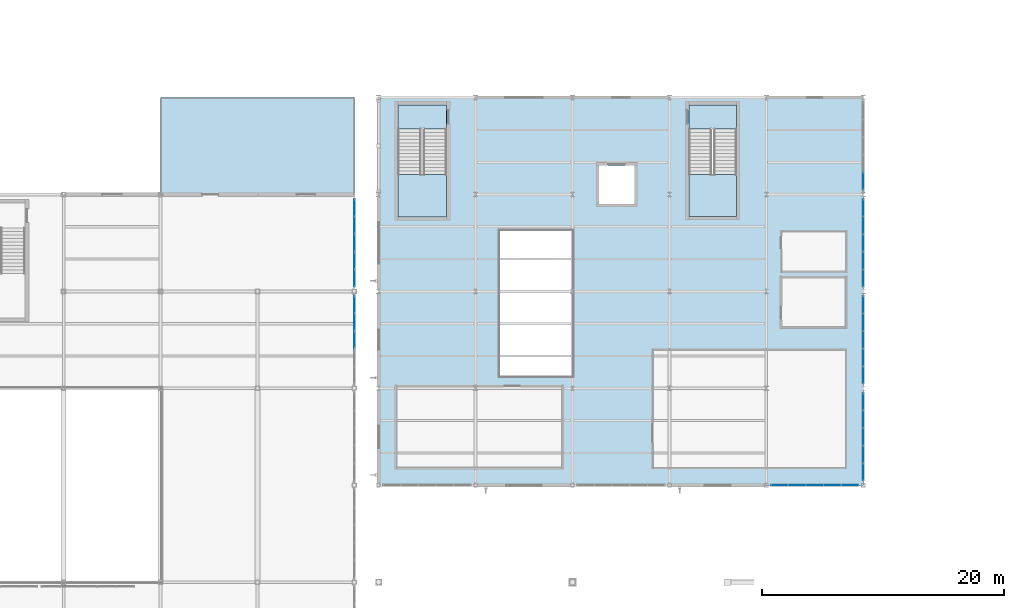
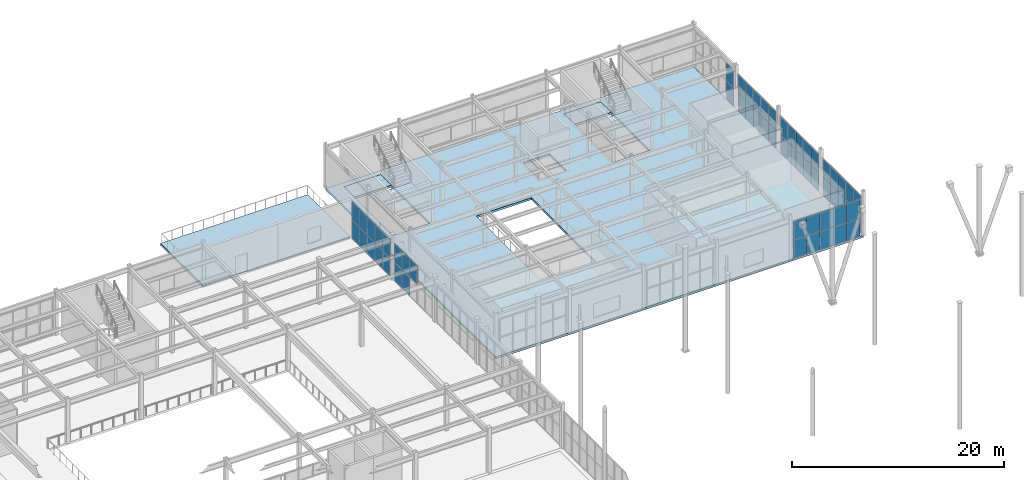
# One storey, part 51 of 77: 57 plates, 6 slabs, 9 elements without a shape of their own.
"""IFC4 building model written with IfcOpenShell, lengths in metres."""

from ifc_helpers import new_model, si_unit, direction, frame, origin, origin_2d, place, context, subcontext, project, spatial, polyline, rectangle, outline, extrude, material, layer, layer_set, type_object, element, aggregate, save


model = new_model("IFC4")

# Units and contexts
model_context = context("Model", 3, precision=1e-05, world=origin(), true_north=direction((0.0, 1.0)))
body_context = subcontext(model_context, "Body", "Model", "MODEL_VIEW")
ifc_project = project(units=[si_unit("LENGTHUNIT", "METRE"), si_unit("AREAUNIT", "SQUARE_METRE"), si_unit("VOLUMEUNIT", "CUBIC_METRE"), si_unit("PLANEANGLEUNIT", "RADIAN"), si_unit("MASSUNIT", "GRAM", prefix="KILO")], contexts=[model_context])

# Site, building, storey
site_placement = place(None, origin())
site = spatial("IfcSite", under=ifc_project, at=site_placement, CompositionType="ELEMENT")
building_placement = place(site_placement, origin())
building = spatial("IfcBuilding", under=site, at=building_placement, Name="Drelvath Fold Interchange", CompositionType="ELEMENT")
storey_placement = place(building_placement, frame((0.0, 0.0, 6.0)))
storey = spatial("IfcBuildingStorey", under=building, at=storey_placement, Name="L01", CompositionType="ELEMENT", Elevation=6.0)

# Curtain wall, plates
ifc_material_1 = material(Name="Anodized Aluminium 6063-T6", Category="aluminium")
curtain_wall_type_1 = type_object("IfcCurtainWallType", Name="CW-CON-520", PredefinedType="USERDEFINED", material=ifc_material_1)
curtain_wall_1_placement = place(storey_placement, origin())
curtain_wall_1 = element("IfcCurtainWall", 1, at=curtain_wall_1_placement, inside=storey, type_object=curtain_wall_type_1, Name="Curtain wall CW-V1E-L01-Y83", ObjectType="UNITISED CURTAIN WALL", PredefinedType="USERDEFINED")
ifc_material_2 = material(Name="Low-Iron Insulated Laminated Glass", Category="glass")
ifc_layer_1 = layer(ifc_material_2, 0.05810546875, Name="Low-Iron Insulated Laminated Glass")
ifc_layer_set_1 = layer_set([ifc_layer_1], Name="Low-Iron Insulated Laminated Glass")
plate_type_1 = type_object("IfcPlateType", Name="CP-CON-B", PredefinedType="CURTAIN_PANEL", material=ifc_layer_set_1)
plate_1_placement = place(storey_placement, frame((100.0, 87.0, 2.185546875), z_axis=(0.0, 0.0, 1.0), x_axis=(0.0, 1.0, 0.0)))
plate_1 = element("IfcPlate", 2, at=plate_1_placement, type_object=plate_type_1, Name="CW-V1E-L01-Y83 glazed panel 2-1", PredefinedType="CURTAIN_PANEL", context=body_context, shape_type="SweptSolid", body=[
    extrude(rectangle(XDim=1.43603515625, YDim=0.05810546875, at=origin_2d()), origin(), (0.0, 0.0, 1.0), 2.125),
])
plate_2_placement = place(storey_placement, frame((100.0, 88.4560546875, 0.04052734375), z_axis=(0.0, 0.0, 1.0), x_axis=(0.0, 1.0, 0.0)))
plate_2 = element("IfcPlate", 3, at=plate_2_placement, type_object=plate_type_1, Name="CW-V1E-L01-Y83 glazed panel 3-0", PredefinedType="CURTAIN_PANEL", context=body_context, shape_type="SweptSolid", body=[
    extrude(rectangle(XDim=1.43603515625, YDim=0.05810546875, at=origin_2d()), origin(), (0.0, 0.0, 1.0), 2.125),
])
plate_3_placement = place(storey_placement, frame((100.0, 88.4560546875, 2.185546875), z_axis=(0.0, 0.0, 1.0), x_axis=(0.0, 1.0, 0.0)))
plate_3 = element("IfcPlate", 4, at=plate_3_placement, type_object=plate_type_1, Name="CW-V1E-L01-Y83 glazed panel 3-1", PredefinedType="CURTAIN_PANEL", context=body_context, shape_type="SweptSolid", body=[
    extrude(rectangle(XDim=1.43603515625, YDim=0.05810546875, at=origin_2d()), origin(), (0.0, 0.0, 1.0), 2.125),
])
plate_4_placement = place(storey_placement, frame((100.0, 89.89208984375, 0.04052734375), z_axis=(0.0, 0.0, 1.0), x_axis=(0.0, 1.0, 0.0)))
plate_4 = element("IfcPlate", 5, at=plate_4_placement, type_object=plate_type_1, Name="CW-V1E-L01-Y83 glazed panel 4-0", PredefinedType="CURTAIN_PANEL", context=body_context, shape_type="SweptSolid", body=[
    extrude(rectangle(XDim=1.39599609375, YDim=0.05810546875, at=origin_2d()), origin(), (0.0, 0.0, 1.0), 2.125),
])
plate_5_placement = place(storey_placement, frame((100.0, 89.89208984375, 2.185546875), z_axis=(0.0, 0.0, 1.0), x_axis=(0.0, 1.0, 0.0)))
plate_5 = element("IfcPlate", 6, at=plate_5_placement, type_object=plate_type_1, Name="CW-V1E-L01-Y83 glazed panel 4-1", PredefinedType="CURTAIN_PANEL", context=body_context, shape_type="SweptSolid", body=[
    extrude(rectangle(XDim=1.39599609375, YDim=0.05810546875, at=origin_2d()), origin(), (0.0, 0.0, 1.0), 2.125),
])
aggregate(curtain_wall_1, [plate_1, plate_2, plate_3, plate_4, plate_5])

curtain_wall_2_placement = place(storey_placement, origin())
curtain_wall_2 = element("IfcCurtainWall", 7, at=curtain_wall_2_placement, inside=storey, type_object=curtain_wall_type_1, Name="Curtain wall CW-V1E-L01-Y91", ObjectType="UNITISED CURTAIN WALL", PredefinedType="USERDEFINED")
plate_6_placement = place(storey_placement, frame((100.0, 92.10791015625, 0.04052734375), z_axis=(0.0, 0.0, 1.0), x_axis=(0.0, 1.0, 0.0)))
plate_6 = element("IfcPlate", 8, at=plate_6_placement, type_object=plate_type_1, Name="CW-V1E-L01-Y91 glazed panel 0-0", PredefinedType="CURTAIN_PANEL", context=body_context, shape_type="SweptSolid", body=[
    extrude(rectangle(XDim=1.39599609375, YDim=0.05810546875, at=origin_2d()), origin(), (0.0, 0.0, 1.0), 2.125),
])
plate_7_placement = place(storey_placement, frame((100.0, 92.10791015625, 2.185546875), z_axis=(0.0, 0.0, 1.0), x_axis=(0.0, 1.0, 0.0)))
plate_7 = element("IfcPlate", 9, at=plate_7_placement, type_object=plate_type_1, Name="CW-V1E-L01-Y91 glazed panel 0-1", PredefinedType="CURTAIN_PANEL", context=body_context, shape_type="SweptSolid", body=[
    extrude(rectangle(XDim=1.39599609375, YDim=0.05810546875, at=origin_2d()), origin(), (0.0, 0.0, 1.0), 2.125),
])
plate_8_placement = place(storey_placement, frame((100.0, 93.5439453125, 0.04052734375), z_axis=(0.0, 0.0, 1.0), x_axis=(0.0, 1.0, 0.0)))
plate_8 = element("IfcPlate", 10, at=plate_8_placement, type_object=plate_type_1, Name="CW-V1E-L01-Y91 glazed panel 1-0", PredefinedType="CURTAIN_PANEL", context=body_context, shape_type="SweptSolid", body=[
    extrude(rectangle(XDim=1.43603515625, YDim=0.05810546875, at=origin_2d()), origin(), (0.0, 0.0, 1.0), 2.125),
])
plate_9_placement = place(storey_placement, frame((100.0, 93.5439453125, 2.185546875), z_axis=(0.0, 0.0, 1.0), x_axis=(0.0, 1.0, 0.0)))
plate_9 = element("IfcPlate", 11, at=plate_9_placement, type_object=plate_type_1, Name="CW-V1E-L01-Y91 glazed panel 1-1", PredefinedType="CURTAIN_PANEL", context=body_context, shape_type="SweptSolid", body=[
    extrude(rectangle(XDim=1.43603515625, YDim=0.05810546875, at=origin_2d()), origin(), (0.0, 0.0, 1.0), 2.125),
])
plate_10_placement = place(storey_placement, frame((100.0, 95.0, 0.04052734375), z_axis=(0.0, 0.0, 1.0), x_axis=(0.0, 1.0, 0.0)))
plate_10 = element("IfcPlate", 12, at=plate_10_placement, type_object=plate_type_1, Name="CW-V1E-L01-Y91 glazed panel 2-0", PredefinedType="CURTAIN_PANEL", context=body_context, shape_type="SweptSolid", body=[
    extrude(rectangle(XDim=1.43603515625, YDim=0.05810546875, at=origin_2d()), origin(), (0.0, 0.0, 1.0), 2.125),
])
plate_11_placement = place(storey_placement, frame((100.0, 95.0, 2.185546875), z_axis=(0.0, 0.0, 1.0), x_axis=(0.0, 1.0, 0.0)))
plate_11 = element("IfcPlate", 13, at=plate_11_placement, type_object=plate_type_1, Name="CW-V1E-L01-Y91 glazed panel 2-1", PredefinedType="CURTAIN_PANEL", context=body_context, shape_type="SweptSolid", body=[
    extrude(rectangle(XDim=1.43603515625, YDim=0.05810546875, at=origin_2d()), origin(), (0.0, 0.0, 1.0), 2.125),
])
plate_12_placement = place(storey_placement, frame((100.0, 96.4560546875, 0.04052734375), z_axis=(0.0, 0.0, 1.0), x_axis=(0.0, 1.0, 0.0)))
plate_12 = element("IfcPlate", 14, at=plate_12_placement, type_object=plate_type_1, Name="CW-V1E-L01-Y91 glazed panel 3-0", PredefinedType="CURTAIN_PANEL", context=body_context, shape_type="SweptSolid", body=[
    extrude(rectangle(XDim=1.43603515625, YDim=0.05810546875, at=origin_2d()), origin(), (0.0, 0.0, 1.0), 2.125),
])
plate_13_placement = place(storey_placement, frame((100.0, 96.4560546875, 2.185546875), z_axis=(0.0, 0.0, 1.0), x_axis=(0.0, 1.0, 0.0)))
plate_13 = element("IfcPlate", 15, at=plate_13_placement, type_object=plate_type_1, Name="CW-V1E-L01-Y91 glazed panel 3-1", PredefinedType="CURTAIN_PANEL", context=body_context, shape_type="SweptSolid", body=[
    extrude(rectangle(XDim=1.43603515625, YDim=0.05810546875, at=origin_2d()), origin(), (0.0, 0.0, 1.0), 2.125),
])
plate_14_placement = place(storey_placement, frame((100.0, 97.89208984375, 0.04052734375), z_axis=(0.0, 0.0, 1.0), x_axis=(0.0, 1.0, 0.0)))
plate_14 = element("IfcPlate", 16, at=plate_14_placement, type_object=plate_type_1, Name="CW-V1E-L01-Y91 glazed panel 4-0", PredefinedType="CURTAIN_PANEL", context=body_context, shape_type="SweptSolid", body=[
    extrude(rectangle(XDim=1.39599609375, YDim=0.05810546875, at=origin_2d()), origin(), (0.0, 0.0, 1.0), 2.125),
])
plate_15_placement = place(storey_placement, frame((100.0, 97.89208984375, 2.185546875), z_axis=(0.0, 0.0, 1.0), x_axis=(0.0, 1.0, 0.0)))
plate_15 = element("IfcPlate", 17, at=plate_15_placement, type_object=plate_type_1, Name="CW-V1E-L01-Y91 glazed panel 4-1", PredefinedType="CURTAIN_PANEL", context=body_context, shape_type="SweptSolid", body=[
    extrude(rectangle(XDim=1.39599609375, YDim=0.05810546875, at=origin_2d()), origin(), (0.0, 0.0, 1.0), 2.125),
])
aggregate(curtain_wall_2, [plate_6, plate_7, plate_8, plate_9, plate_10, plate_11, plate_12, plate_13, plate_14, plate_15])

curtain_wall_type_2 = type_object("IfcCurtainWallType", Name="CW-CYC-430", PredefinedType="USERDEFINED", material=ifc_material_1)
curtain_wall_3_placement = place(storey_placement, origin())
curtain_wall_3 = element("IfcCurtainWall", 18, at=curtain_wall_3_placement, inside=storey, type_object=curtain_wall_type_2, Name="Curtain wall CW-CYC-L01-S134", ObjectType="UNITISED CURTAIN WALL", PredefinedType="USERDEFINED")
ifc_layer_2 = layer(ifc_material_2, 0.028076171875, Name="Low-Iron Insulated Laminated Glass")
ifc_layer_set_2 = layer_set([ifc_layer_2], Name="Low-Iron Insulated Laminated Glass")
plate_type_2 = type_object("IfcPlateType", Name="CP-CYC-A", PredefinedType="CURTAIN_PANEL", material=ifc_layer_set_2)
plate_16_placement = place(storey_placement, frame((135.10791015625, 75.0, 0.0400390625), z_axis=(0.0, 0.0, 1.0), x_axis=(1.0, 0.0, 0.0)))
plate_16 = element("IfcPlate", 19, at=plate_16_placement, type_object=plate_type_2, Name="CW-CYC-L01-S134 glazed panel 0-0", PredefinedType="CURTAIN_PANEL", context=body_context, shape_type="SweptSolid", body=[
    extrude(rectangle(XDim=1.39599609375, YDim=0.028076171875, at=origin_2d()), origin(), (0.0, 0.0, 1.0), 2.10009765625),
])
plate_17_placement = place(storey_placement, frame((135.10791015625, 75.0, 2.159912109375), z_axis=(0.0, 0.0, 1.0), x_axis=(1.0, 0.0, 0.0)))
plate_17 = element("IfcPlate", 20, at=plate_17_placement, type_object=plate_type_2, Name="CW-CYC-L01-S134 glazed panel 0-1", PredefinedType="CURTAIN_PANEL", context=body_context, shape_type="SweptSolid", body=[
    extrude(rectangle(XDim=1.39599609375, YDim=0.028076171875, at=origin_2d()), origin(), (0.0, 0.0, 1.0), 2.10009765625),
])
plate_18_placement = place(storey_placement, frame((136.5439453125, 75.0, 0.0400390625), z_axis=(0.0, 0.0, 1.0), x_axis=(1.0, 0.0, 0.0)))
plate_18 = element("IfcPlate", 21, at=plate_18_placement, type_object=plate_type_2, Name="CW-CYC-L01-S134 glazed panel 1-0", PredefinedType="CURTAIN_PANEL", context=body_context, shape_type="SweptSolid", body=[
    extrude(rectangle(XDim=1.43603515625, YDim=0.028076171875, at=origin_2d()), origin(), (0.0, 0.0, 1.0), 2.10009765625),
])
plate_19_placement = place(storey_placement, frame((136.5439453125, 75.0, 2.159912109375), z_axis=(0.0, 0.0, 1.0), x_axis=(1.0, 0.0, 0.0)))
plate_19 = element("IfcPlate", 22, at=plate_19_placement, type_object=plate_type_2, Name="CW-CYC-L01-S134 glazed panel 1-1", PredefinedType="CURTAIN_PANEL", context=body_context, shape_type="SweptSolid", body=[
    extrude(rectangle(XDim=1.43603515625, YDim=0.028076171875, at=origin_2d()), origin(), (0.0, 0.0, 1.0), 2.10009765625),
])
plate_20_placement = place(storey_placement, frame((138.0, 75.0, 0.0400390625), z_axis=(0.0, 0.0, 1.0), x_axis=(1.0, 0.0, 0.0)))
plate_20 = element("IfcPlate", 23, at=plate_20_placement, type_object=plate_type_2, Name="CW-CYC-L01-S134 glazed panel 2-0", PredefinedType="CURTAIN_PANEL", context=body_context, shape_type="SweptSolid", body=[
    extrude(rectangle(XDim=1.43603515625, YDim=0.028076171875, at=origin_2d()), origin(), (0.0, 0.0, 1.0), 2.10009765625),
])
plate_21_placement = place(storey_placement, frame((138.0, 75.0, 2.159912109375), z_axis=(0.0, 0.0, 1.0), x_axis=(1.0, 0.0, 0.0)))
plate_21 = element("IfcPlate", 24, at=plate_21_placement, type_object=plate_type_2, Name="CW-CYC-L01-S134 glazed panel 2-1", PredefinedType="CURTAIN_PANEL", context=body_context, shape_type="SweptSolid", body=[
    extrude(rectangle(XDim=1.43603515625, YDim=0.028076171875, at=origin_2d()), origin(), (0.0, 0.0, 1.0), 2.10009765625),
])
plate_22_placement = place(storey_placement, frame((139.4560546875, 75.0, 0.0400390625), z_axis=(0.0, 0.0, 1.0), x_axis=(1.0, 0.0, 0.0)))
plate_22 = element("IfcPlate", 25, at=plate_22_placement, type_object=plate_type_2, Name="CW-CYC-L01-S134 glazed panel 3-0", PredefinedType="CURTAIN_PANEL", context=body_context, shape_type="SweptSolid", body=[
    extrude(rectangle(XDim=1.43603515625, YDim=0.028076171875, at=origin_2d()), origin(), (0.0, 0.0, 1.0), 2.10009765625),
])
plate_23_placement = place(storey_placement, frame((139.4560546875, 75.0, 2.159912109375), z_axis=(0.0, 0.0, 1.0), x_axis=(1.0, 0.0, 0.0)))
plate_23 = element("IfcPlate", 26, at=plate_23_placement, type_object=plate_type_2, Name="CW-CYC-L01-S134 glazed panel 3-1", PredefinedType="CURTAIN_PANEL", context=body_context, shape_type="SweptSolid", body=[
    extrude(rectangle(XDim=1.43603515625, YDim=0.028076171875, at=origin_2d()), origin(), (0.0, 0.0, 1.0), 2.10009765625),
])
plate_24_placement = place(storey_placement, frame((140.89208984375, 75.0, 0.0400390625), z_axis=(0.0, 0.0, 1.0), x_axis=(1.0, 0.0, 0.0)))
plate_24 = element("IfcPlate", 27, at=plate_24_placement, type_object=plate_type_2, Name="CW-CYC-L01-S134 glazed panel 4-0", PredefinedType="CURTAIN_PANEL", context=body_context, shape_type="SweptSolid", body=[
    extrude(rectangle(XDim=1.39599609375, YDim=0.028076171875, at=origin_2d()), origin(), (0.0, 0.0, 1.0), 2.10009765625),
])
plate_25_placement = place(storey_placement, frame((140.89208984375, 75.0, 2.159912109375), z_axis=(0.0, 0.0, 1.0), x_axis=(1.0, 0.0, 0.0)))
plate_25 = element("IfcPlate", 28, at=plate_25_placement, type_object=plate_type_2, Name="CW-CYC-L01-S134 glazed panel 4-1", PredefinedType="CURTAIN_PANEL", context=body_context, shape_type="SweptSolid", body=[
    extrude(rectangle(XDim=1.39599609375, YDim=0.028076171875, at=origin_2d()), origin(), (0.0, 0.0, 1.0), 2.10009765625),
])
aggregate(curtain_wall_3, [plate_16, plate_17, plate_18, plate_19, plate_20, plate_21, plate_22, plate_23, plate_24, plate_25])

curtain_wall_4_placement = place(storey_placement, origin())
curtain_wall_4 = element("IfcCurtainWall", 29, at=curtain_wall_4_placement, inside=storey, type_object=curtain_wall_type_2, Name="Curtain wall CW-CYC-L01-E75", ObjectType="UNITISED CURTAIN WALL", PredefinedType="USERDEFINED")
plate_26_placement = place(storey_placement, frame((142.0, 76.10791015625, 0.0400390625), z_axis=(0.0, 0.0, 1.0), x_axis=(0.0, 1.0, 0.0)))
plate_26 = element("IfcPlate", 30, at=plate_26_placement, type_object=plate_type_2, Name="CW-CYC-L01-E75 glazed panel 0-0", PredefinedType="CURTAIN_PANEL", context=body_context, shape_type="SweptSolid", body=[
    extrude(rectangle(XDim=1.39599609375, YDim=0.028076171875, at=origin_2d()), origin(), (0.0, 0.0, 1.0), 2.10009765625),
])
plate_27_placement = place(storey_placement, frame((142.0, 76.10791015625, 2.159912109375), z_axis=(0.0, 0.0, 1.0), x_axis=(0.0, 1.0, 0.0)))
plate_27 = element("IfcPlate", 31, at=plate_27_placement, type_object=plate_type_2, Name="CW-CYC-L01-E75 glazed panel 0-1", PredefinedType="CURTAIN_PANEL", context=body_context, shape_type="SweptSolid", body=[
    extrude(rectangle(XDim=1.39599609375, YDim=0.028076171875, at=origin_2d()), origin(), (0.0, 0.0, 1.0), 2.10009765625),
])
plate_28_placement = place(storey_placement, frame((142.0, 77.5439453125, 0.0400390625), z_axis=(0.0, 0.0, 1.0), x_axis=(0.0, 1.0, 0.0)))
plate_28 = element("IfcPlate", 32, at=plate_28_placement, type_object=plate_type_2, Name="CW-CYC-L01-E75 glazed panel 1-0", PredefinedType="CURTAIN_PANEL", context=body_context, shape_type="SweptSolid", body=[
    extrude(rectangle(XDim=1.43603515625, YDim=0.028076171875, at=origin_2d()), origin(), (0.0, 0.0, 1.0), 2.10009765625),
])
plate_29_placement = place(storey_placement, frame((142.0, 77.5439453125, 2.159912109375), z_axis=(0.0, 0.0, 1.0), x_axis=(0.0, 1.0, 0.0)))
plate_29 = element("IfcPlate", 33, at=plate_29_placement, type_object=plate_type_2, Name="CW-CYC-L01-E75 glazed panel 1-1", PredefinedType="CURTAIN_PANEL", context=body_context, shape_type="SweptSolid", body=[
    extrude(rectangle(XDim=1.43603515625, YDim=0.028076171875, at=origin_2d()), origin(), (0.0, 0.0, 1.0), 2.10009765625),
])
plate_30_placement = place(storey_placement, frame((142.0, 79.0, 0.0400390625), z_axis=(0.0, 0.0, 1.0), x_axis=(0.0, 1.0, 0.0)))
plate_30 = element("IfcPlate", 34, at=plate_30_placement, type_object=plate_type_2, Name="CW-CYC-L01-E75 glazed panel 2-0", PredefinedType="CURTAIN_PANEL", context=body_context, shape_type="SweptSolid", body=[
    extrude(rectangle(XDim=1.43603515625, YDim=0.028076171875, at=origin_2d()), origin(), (0.0, 0.0, 1.0), 2.10009765625),
])
plate_31_placement = place(storey_placement, frame((142.0, 79.0, 2.159912109375), z_axis=(0.0, 0.0, 1.0), x_axis=(0.0, 1.0, 0.0)))
plate_31 = element("IfcPlate", 35, at=plate_31_placement, type_object=plate_type_2, Name="CW-CYC-L01-E75 glazed panel 2-1", PredefinedType="CURTAIN_PANEL", context=body_context, shape_type="SweptSolid", body=[
    extrude(rectangle(XDim=1.43603515625, YDim=0.028076171875, at=origin_2d()), origin(), (0.0, 0.0, 1.0), 2.10009765625),
])
plate_32_placement = place(storey_placement, frame((142.0, 80.4560546875, 0.0400390625), z_axis=(0.0, 0.0, 1.0), x_axis=(0.0, 1.0, 0.0)))
plate_32 = element("IfcPlate", 36, at=plate_32_placement, type_object=plate_type_2, Name="CW-CYC-L01-E75 glazed panel 3-0", PredefinedType="CURTAIN_PANEL", context=body_context, shape_type="SweptSolid", body=[
    extrude(rectangle(XDim=1.43603515625, YDim=0.028076171875, at=origin_2d()), origin(), (0.0, 0.0, 1.0), 2.10009765625),
])
plate_33_placement = place(storey_placement, frame((142.0, 80.4560546875, 2.159912109375), z_axis=(0.0, 0.0, 1.0), x_axis=(0.0, 1.0, 0.0)))
plate_33 = element("IfcPlate", 37, at=plate_33_placement, type_object=plate_type_2, Name="CW-CYC-L01-E75 glazed panel 3-1", PredefinedType="CURTAIN_PANEL", context=body_context, shape_type="SweptSolid", body=[
    extrude(rectangle(XDim=1.43603515625, YDim=0.028076171875, at=origin_2d()), origin(), (0.0, 0.0, 1.0), 2.10009765625),
])
plate_34_placement = place(storey_placement, frame((142.0, 81.89208984375, 0.0400390625), z_axis=(0.0, 0.0, 1.0), x_axis=(0.0, 1.0, 0.0)))
plate_34 = element("IfcPlate", 38, at=plate_34_placement, type_object=plate_type_2, Name="CW-CYC-L01-E75 glazed panel 4-0", PredefinedType="CURTAIN_PANEL", context=body_context, shape_type="SweptSolid", body=[
    extrude(rectangle(XDim=1.39599609375, YDim=0.028076171875, at=origin_2d()), origin(), (0.0, 0.0, 1.0), 2.10009765625),
])
plate_35_placement = place(storey_placement, frame((142.0, 81.89208984375, 2.159912109375), z_axis=(0.0, 0.0, 1.0), x_axis=(0.0, 1.0, 0.0)))
plate_35 = element("IfcPlate", 39, at=plate_35_placement, type_object=plate_type_2, Name="CW-CYC-L01-E75 glazed panel 4-1", PredefinedType="CURTAIN_PANEL", context=body_context, shape_type="SweptSolid", body=[
    extrude(rectangle(XDim=1.39599609375, YDim=0.028076171875, at=origin_2d()), origin(), (0.0, 0.0, 1.0), 2.10009765625),
])
aggregate(curtain_wall_4, [plate_26, plate_27, plate_28, plate_29, plate_30, plate_31, plate_32, plate_33, plate_34, plate_35])

curtain_wall_5_placement = place(storey_placement, origin())
curtain_wall_5 = element("IfcCurtainWall", 40, at=curtain_wall_5_placement, inside=storey, type_object=curtain_wall_type_2, Name="Curtain wall CW-CYC-L01-E83", ObjectType="UNITISED CURTAIN WALL", PredefinedType="USERDEFINED")
plate_36_placement = place(storey_placement, frame((142.0, 84.10791015625, 0.0400390625), z_axis=(0.0, 0.0, 1.0), x_axis=(0.0, 1.0, 0.0)))
plate_36 = element("IfcPlate", 41, at=plate_36_placement, type_object=plate_type_2, Name="CW-CYC-L01-E83 glazed panel 0-0", PredefinedType="CURTAIN_PANEL", context=body_context, shape_type="SweptSolid", body=[
    extrude(rectangle(XDim=1.39599609375, YDim=0.028076171875, at=origin_2d()), origin(), (0.0, 0.0, 1.0), 2.10009765625),
])
plate_37_placement = place(storey_placement, frame((142.0, 84.10791015625, 2.159912109375), z_axis=(0.0, 0.0, 1.0), x_axis=(0.0, 1.0, 0.0)))
plate_37 = element("IfcPlate", 42, at=plate_37_placement, type_object=plate_type_2, Name="CW-CYC-L01-E83 glazed panel 0-1", PredefinedType="CURTAIN_PANEL", context=body_context, shape_type="SweptSolid", body=[
    extrude(rectangle(XDim=1.39599609375, YDim=0.028076171875, at=origin_2d()), origin(), (0.0, 0.0, 1.0), 2.10009765625),
])
plate_38_placement = place(storey_placement, frame((142.0, 85.5439453125, 0.0400390625), z_axis=(0.0, 0.0, 1.0), x_axis=(0.0, 1.0, 0.0)))
plate_38 = element("IfcPlate", 43, at=plate_38_placement, type_object=plate_type_2, Name="CW-CYC-L01-E83 glazed panel 1-0", PredefinedType="CURTAIN_PANEL", context=body_context, shape_type="SweptSolid", body=[
    extrude(rectangle(XDim=1.43603515625, YDim=0.028076171875, at=origin_2d()), origin(), (0.0, 0.0, 1.0), 2.10009765625),
])
plate_39_placement = place(storey_placement, frame((142.0, 85.5439453125, 2.159912109375), z_axis=(0.0, 0.0, 1.0), x_axis=(0.0, 1.0, 0.0)))
plate_39 = element("IfcPlate", 44, at=plate_39_placement, type_object=plate_type_2, Name="CW-CYC-L01-E83 glazed panel 1-1", PredefinedType="CURTAIN_PANEL", context=body_context, shape_type="SweptSolid", body=[
    extrude(rectangle(XDim=1.43603515625, YDim=0.028076171875, at=origin_2d()), origin(), (0.0, 0.0, 1.0), 2.10009765625),
])
plate_40_placement = place(storey_placement, frame((142.0, 87.0, 0.0400390625), z_axis=(0.0, 0.0, 1.0), x_axis=(0.0, 1.0, 0.0)))
plate_40 = element("IfcPlate", 45, at=plate_40_placement, type_object=plate_type_2, Name="CW-CYC-L01-E83 glazed panel 2-0", PredefinedType="CURTAIN_PANEL", context=body_context, shape_type="SweptSolid", body=[
    extrude(rectangle(XDim=1.43603515625, YDim=0.028076171875, at=origin_2d()), origin(), (0.0, 0.0, 1.0), 2.10009765625),
])
plate_41_placement = place(storey_placement, frame((142.0, 87.0, 2.159912109375), z_axis=(0.0, 0.0, 1.0), x_axis=(0.0, 1.0, 0.0)))
plate_41 = element("IfcPlate", 46, at=plate_41_placement, type_object=plate_type_2, Name="CW-CYC-L01-E83 glazed panel 2-1", PredefinedType="CURTAIN_PANEL", context=body_context, shape_type="SweptSolid", body=[
    extrude(rectangle(XDim=1.43603515625, YDim=0.028076171875, at=origin_2d()), origin(), (0.0, 0.0, 1.0), 2.10009765625),
])
plate_42_placement = place(storey_placement, frame((142.0, 88.4560546875, 0.0400390625), z_axis=(0.0, 0.0, 1.0), x_axis=(0.0, 1.0, 0.0)))
plate_42 = element("IfcPlate", 47, at=plate_42_placement, type_object=plate_type_2, Name="CW-CYC-L01-E83 glazed panel 3-0", PredefinedType="CURTAIN_PANEL", context=body_context, shape_type="SweptSolid", body=[
    extrude(rectangle(XDim=1.43603515625, YDim=0.028076171875, at=origin_2d()), origin(), (0.0, 0.0, 1.0), 2.10009765625),
])
plate_43_placement = place(storey_placement, frame((142.0, 88.4560546875, 2.159912109375), z_axis=(0.0, 0.0, 1.0), x_axis=(0.0, 1.0, 0.0)))
plate_43 = element("IfcPlate", 48, at=plate_43_placement, type_object=plate_type_2, Name="CW-CYC-L01-E83 glazed panel 3-1", PredefinedType="CURTAIN_PANEL", context=body_context, shape_type="SweptSolid", body=[
    extrude(rectangle(XDim=1.43603515625, YDim=0.028076171875, at=origin_2d()), origin(), (0.0, 0.0, 1.0), 2.10009765625),
])
plate_44_placement = place(storey_placement, frame((142.0, 89.89208984375, 0.0400390625), z_axis=(0.0, 0.0, 1.0), x_axis=(0.0, 1.0, 0.0)))
plate_44 = element("IfcPlate", 49, at=plate_44_placement, type_object=plate_type_2, Name="CW-CYC-L01-E83 glazed panel 4-0", PredefinedType="CURTAIN_PANEL", context=body_context, shape_type="SweptSolid", body=[
    extrude(rectangle(XDim=1.39599609375, YDim=0.028076171875, at=origin_2d()), origin(), (0.0, 0.0, 1.0), 2.10009765625),
])
plate_45_placement = place(storey_placement, frame((142.0, 89.89208984375, 2.159912109375), z_axis=(0.0, 0.0, 1.0), x_axis=(0.0, 1.0, 0.0)))
plate_45 = element("IfcPlate", 50, at=plate_45_placement, type_object=plate_type_2, Name="CW-CYC-L01-E83 glazed panel 4-1", PredefinedType="CURTAIN_PANEL", context=body_context, shape_type="SweptSolid", body=[
    extrude(rectangle(XDim=1.39599609375, YDim=0.028076171875, at=origin_2d()), origin(), (0.0, 0.0, 1.0), 2.10009765625),
])
aggregate(curtain_wall_5, [plate_36, plate_37, plate_38, plate_39, plate_40, plate_41, plate_42, plate_43, plate_44, plate_45])

curtain_wall_6_placement = place(storey_placement, origin())
curtain_wall_6 = element("IfcCurtainWall", 51, at=curtain_wall_6_placement, inside=storey, type_object=curtain_wall_type_2, Name="Curtain wall CW-CYC-L01-E91", ObjectType="UNITISED CURTAIN WALL", PredefinedType="USERDEFINED")
plate_46_placement = place(storey_placement, frame((142.0, 92.10791015625, 0.0400390625), z_axis=(0.0, 0.0, 1.0), x_axis=(0.0, 1.0, 0.0)))
plate_46 = element("IfcPlate", 52, at=plate_46_placement, type_object=plate_type_2, Name="CW-CYC-L01-E91 glazed panel 0-0", PredefinedType="CURTAIN_PANEL", context=body_context, shape_type="SweptSolid", body=[
    extrude(rectangle(XDim=1.39599609375, YDim=0.028076171875, at=origin_2d()), origin(), (0.0, 0.0, 1.0), 2.10009765625),
])
plate_47_placement = place(storey_placement, frame((142.0, 92.10791015625, 2.159912109375), z_axis=(0.0, 0.0, 1.0), x_axis=(0.0, 1.0, 0.0)))
plate_47 = element("IfcPlate", 53, at=plate_47_placement, type_object=plate_type_2, Name="CW-CYC-L01-E91 glazed panel 0-1", PredefinedType="CURTAIN_PANEL", context=body_context, shape_type="SweptSolid", body=[
    extrude(rectangle(XDim=1.39599609375, YDim=0.028076171875, at=origin_2d()), origin(), (0.0, 0.0, 1.0), 2.10009765625),
])
plate_48_placement = place(storey_placement, frame((142.0, 93.5439453125, 0.0400390625), z_axis=(0.0, 0.0, 1.0), x_axis=(0.0, 1.0, 0.0)))
plate_48 = element("IfcPlate", 54, at=plate_48_placement, type_object=plate_type_2, Name="CW-CYC-L01-E91 glazed panel 1-0", PredefinedType="CURTAIN_PANEL", context=body_context, shape_type="SweptSolid", body=[
    extrude(rectangle(XDim=1.43603515625, YDim=0.028076171875, at=origin_2d()), origin(), (0.0, 0.0, 1.0), 2.10009765625),
])
plate_49_placement = place(storey_placement, frame((142.0, 93.5439453125, 2.159912109375), z_axis=(0.0, 0.0, 1.0), x_axis=(0.0, 1.0, 0.0)))
plate_49 = element("IfcPlate", 55, at=plate_49_placement, type_object=plate_type_2, Name="CW-CYC-L01-E91 glazed panel 1-1", PredefinedType="CURTAIN_PANEL", context=body_context, shape_type="SweptSolid", body=[
    extrude(rectangle(XDim=1.43603515625, YDim=0.028076171875, at=origin_2d()), origin(), (0.0, 0.0, 1.0), 2.10009765625),
])
plate_50_placement = place(storey_placement, frame((142.0, 95.0, 0.0400390625), z_axis=(0.0, 0.0, 1.0), x_axis=(0.0, 1.0, 0.0)))
plate_50 = element("IfcPlate", 56, at=plate_50_placement, type_object=plate_type_2, Name="CW-CYC-L01-E91 glazed panel 2-0", PredefinedType="CURTAIN_PANEL", context=body_context, shape_type="SweptSolid", body=[
    extrude(rectangle(XDim=1.43603515625, YDim=0.028076171875, at=origin_2d()), origin(), (0.0, 0.0, 1.0), 2.10009765625),
])
plate_51_placement = place(storey_placement, frame((142.0, 95.0, 2.159912109375), z_axis=(0.0, 0.0, 1.0), x_axis=(0.0, 1.0, 0.0)))
plate_51 = element("IfcPlate", 57, at=plate_51_placement, type_object=plate_type_2, Name="CW-CYC-L01-E91 glazed panel 2-1", PredefinedType="CURTAIN_PANEL", context=body_context, shape_type="SweptSolid", body=[
    extrude(rectangle(XDim=1.43603515625, YDim=0.028076171875, at=origin_2d()), origin(), (0.0, 0.0, 1.0), 2.10009765625),
])
plate_52_placement = place(storey_placement, frame((142.0, 96.4560546875, 0.0400390625), z_axis=(0.0, 0.0, 1.0), x_axis=(0.0, 1.0, 0.0)))
plate_52 = element("IfcPlate", 58, at=plate_52_placement, type_object=plate_type_2, Name="CW-CYC-L01-E91 glazed panel 3-0", PredefinedType="CURTAIN_PANEL", context=body_context, shape_type="SweptSolid", body=[
    extrude(rectangle(XDim=1.43603515625, YDim=0.028076171875, at=origin_2d()), origin(), (0.0, 0.0, 1.0), 2.10009765625),
])
plate_53_placement = place(storey_placement, frame((142.0, 96.4560546875, 2.159912109375), z_axis=(0.0, 0.0, 1.0), x_axis=(0.0, 1.0, 0.0)))
plate_53 = element("IfcPlate", 59, at=plate_53_placement, type_object=plate_type_2, Name="CW-CYC-L01-E91 glazed panel 3-1", PredefinedType="CURTAIN_PANEL", context=body_context, shape_type="SweptSolid", body=[
    extrude(rectangle(XDim=1.43603515625, YDim=0.028076171875, at=origin_2d()), origin(), (0.0, 0.0, 1.0), 2.10009765625),
])
plate_54_placement = place(storey_placement, frame((142.0, 97.89208984375, 0.0400390625), z_axis=(0.0, 0.0, 1.0), x_axis=(0.0, 1.0, 0.0)))
plate_54 = element("IfcPlate", 60, at=plate_54_placement, type_object=plate_type_2, Name="CW-CYC-L01-E91 glazed panel 4-0", PredefinedType="CURTAIN_PANEL", context=body_context, shape_type="SweptSolid", body=[
    extrude(rectangle(XDim=1.39599609375, YDim=0.028076171875, at=origin_2d()), origin(), (0.0, 0.0, 1.0), 2.10009765625),
])
plate_55_placement = place(storey_placement, frame((142.0, 97.89208984375, 2.159912109375), z_axis=(0.0, 0.0, 1.0), x_axis=(0.0, 1.0, 0.0)))
plate_55 = element("IfcPlate", 61, at=plate_55_placement, type_object=plate_type_2, Name="CW-CYC-L01-E91 glazed panel 4-1", PredefinedType="CURTAIN_PANEL", context=body_context, shape_type="SweptSolid", body=[
    extrude(rectangle(XDim=1.39599609375, YDim=0.028076171875, at=origin_2d()), origin(), (0.0, 0.0, 1.0), 2.10009765625),
])
aggregate(curtain_wall_6, [plate_46, plate_47, plate_48, plate_49, plate_50, plate_51, plate_52, plate_53, plate_54, plate_55])

curtain_wall_7_placement = place(storey_placement, origin())
curtain_wall_7 = element("IfcCurtainWall", 62, at=curtain_wall_7_placement, inside=storey, type_object=curtain_wall_type_2, Name="Curtain wall CW-CYC-L01-E99", ObjectType="UNITISED CURTAIN WALL", PredefinedType="USERDEFINED")
plate_56_placement = place(storey_placement, frame((142.0, 100.10791015625, 0.0400390625), z_axis=(0.0, 0.0, 1.0), x_axis=(0.0, 1.0, 0.0)))
plate_56 = element("IfcPlate", 63, at=plate_56_placement, type_object=plate_type_2, Name="CW-CYC-L01-E99 glazed panel 0-0", PredefinedType="CURTAIN_PANEL", context=body_context, shape_type="SweptSolid", body=[
    extrude(rectangle(XDim=1.39599609375, YDim=0.028076171875, at=origin_2d()), origin(), (0.0, 0.0, 1.0), 2.10009765625),
])
plate_57_placement = place(storey_placement, frame((142.0, 100.10791015625, 2.159912109375), z_axis=(0.0, 0.0, 1.0), x_axis=(0.0, 1.0, 0.0)))
plate_57 = element("IfcPlate", 64, at=plate_57_placement, type_object=plate_type_2, Name="CW-CYC-L01-E99 glazed panel 0-1", PredefinedType="CURTAIN_PANEL", context=body_context, shape_type="SweptSolid", body=[
    extrude(rectangle(XDim=1.39599609375, YDim=0.028076171875, at=origin_2d()), origin(), (0.0, 0.0, 1.0), 2.10009765625),
])
aggregate(curtain_wall_7, [plate_56, plate_57])

# Slabs
ifc_material_3 = material(Name="Concrete f'c 35 MPa (5000 psi)", Category="concrete")
ifc_layer_3 = layer(ifc_material_3, 0.239990234375, Name="Concrete f'c 35 MPa (5000 psi)")
ifc_layer_set_3 = layer_set([ifc_layer_3], Name="Concrete f'c 35 MPa (5000 psi)")
slab_type_1 = type_object("IfcSlabType", Name="FS-UP1", PredefinedType="FLOOR", material=ifc_layer_set_3)
slab_1_placement = place(storey_placement, frame((0.0, 0.0, -0.239990234375)))
element("IfcSlab", 65, at=slab_1_placement, inside=storey, type_object=slab_type_1, Name="L01 structural slab SL-L01-V3", PredefinedType="FLOOR", context=body_context, shape_type="SweptSolid", body=[
    extrude(outline(polyline([(102.0, 75.0), (142.0, 75.0), (142.0, 107.0), (102.0, 107.0), (102.0, 75.0)]), holes=[polyline([(112.0, 84.0), (112.0, 96.0), (118.0, 96.0), (118.0, 84.0), (112.0, 84.0)]), polyline([(103.60009765625, 97.14990234375), (103.60009765625, 106.39990234375), (107.6201171875, 106.39990234375), (107.6201171875, 97.14990234375), (103.60009765625, 97.14990234375)]), polyline([(127.60009765625, 97.199951171875), (127.60009765625, 106.39990234375), (131.5400390625, 106.39990234375), (131.5400390625, 97.199951171875), (127.60009765625, 97.199951171875)]), polyline([(120.199951171875, 98.199951171875), (120.199951171875, 101.39990234375), (123.10009765625, 101.39990234375), (123.10009765625, 98.199951171875), (120.199951171875, 98.199951171875)])]), origin(), (0.0, 0.0, 1.0), 0.239990234375),
])
slab_2_placement = place(storey_placement, frame((0.0, 0.0, -0.239990234375)))
element("IfcSlab", 66, at=slab_2_placement, inside=storey, type_object=slab_type_1, Name="ST-07 L01 stair floor landing slab", PredefinedType="FLOOR", context=body_context, shape_type="SweptSolid", body=[
    extrude(outline(polyline([(103.60009765625, 104.39990234375), (107.6201171875, 104.39990234375), (107.6201171875, 106.39990234375), (103.60009765625, 106.39990234375), (103.60009765625, 104.39990234375)])), origin(), (0.0, 0.0, 1.0), 0.239990234375),
])
slab_3_placement = place(storey_placement, frame((0.0, 0.0, -0.239990234375)))
element("IfcSlab", 67, at=slab_3_placement, inside=storey, type_object=slab_type_1, Name="ST-08 L01 stair floor landing slab", PredefinedType="FLOOR", context=body_context, shape_type="SweptSolid", body=[
    extrude(outline(polyline([(127.60009765625, 104.39990234375), (131.5400390625, 104.39990234375), (131.5400390625, 106.39990234375), (127.60009765625, 106.39990234375), (127.60009765625, 104.39990234375)])), origin(), (0.0, 0.0, 1.0), 0.239990234375),
])

# Stair, slab
stair_type_1 = type_object("IfcStairType", Name="STR-07", PredefinedType="HALF_TURN_STAIR", material=ifc_material_3)
stair_1_placement = place(storey_placement, origin())
stair_1 = element("IfcStair", 68, at=stair_1_placement, inside=storey, type_object=stair_type_1, Name="L01 Protected Exit Stair ST-07", PredefinedType="HALF_TURN_STAIR")
ifc_layer_4 = layer(ifc_material_3, 0.199951171875, Name="Concrete f'c 35 MPa (5000 psi)")
ifc_layer_set_4 = layer_set([ifc_layer_4], Name="Concrete f'c 35 MPa (5000 psi)")
slab_type_2 = type_object("IfcSlabType", Name="SL-LND200", PredefinedType="LANDING", material=ifc_layer_set_4)
slab_4_placement = place(storey_placement, frame((0.0, 0.0, 2.39990234375)))
slab_4 = element("IfcSlab", 69, at=slab_4_placement, type_object=slab_type_2, Name="ST-07 landing 1", PredefinedType="LANDING", context=body_context, shape_type="SweptSolid", body=[
    extrude(outline(polyline([(103.60009765625, 100.6298828125), (103.60009765625, 97.14990234375), (107.6201171875, 97.14990234375), (107.6201171875, 100.6298828125), (103.60009765625, 100.6298828125)])), origin(), (0.0, 0.0, 1.0), 0.2001953125),
])
aggregate(stair_1, [slab_4])

stair_type_2 = type_object("IfcStairType", Name="STR-08", PredefinedType="HALF_TURN_STAIR", material=ifc_material_3)
stair_2_placement = place(storey_placement, origin())
stair_2 = element("IfcStair", 70, at=stair_2_placement, inside=storey, type_object=stair_type_2, Name="L01 Protected Exit Stair ST-08", PredefinedType="HALF_TURN_STAIR")
slab_5_placement = place(storey_placement, frame((0.0, 0.0, 2.39990234375)))
slab_5 = element("IfcSlab", 71, at=slab_5_placement, type_object=slab_type_2, Name="ST-08 landing 1", PredefinedType="LANDING", context=body_context, shape_type="SweptSolid", body=[
    extrude(outline(polyline([(127.60009765625, 100.6298828125), (127.60009765625, 97.199951171875), (131.5400390625, 97.199951171875), (131.5400390625, 100.6298828125), (127.60009765625, 100.6298828125)])), origin(), (0.0, 0.0, 1.0), 0.2001953125),
])
aggregate(stair_2, [slab_5])

# Slab
ifc_layer_5 = layer(ifc_material_3, 0.27001953125, Name="Concrete f'c 35 MPa (5000 psi)")
ifc_layer_set_5 = layer_set([ifc_layer_5], Name="Concrete f'c 35 MPa (5000 psi)")
slab_type_3 = type_object("IfcSlabType", Name="TR-01", PredefinedType="FLOOR", material=ifc_layer_set_5)
slab_6_placement = place(storey_placement, frame((0.0, 0.0, -0.27001953125)))
element("IfcSlab", 72, at=slab_6_placement, inside=storey, type_object=slab_type_3, Name="Concourse North Viewing Balcony", PredefinedType="FLOOR", context=body_context, shape_type="SweptSolid", body=[
    extrude(outline(polyline([(84.0, 99.0), (100.0, 99.0), (100.0, 107.0), (84.0, 107.0), (84.0, 99.0)])), origin(), (0.0, 0.0, 1.0), 0.27001953125),
])

save(model, "model.ifc")
